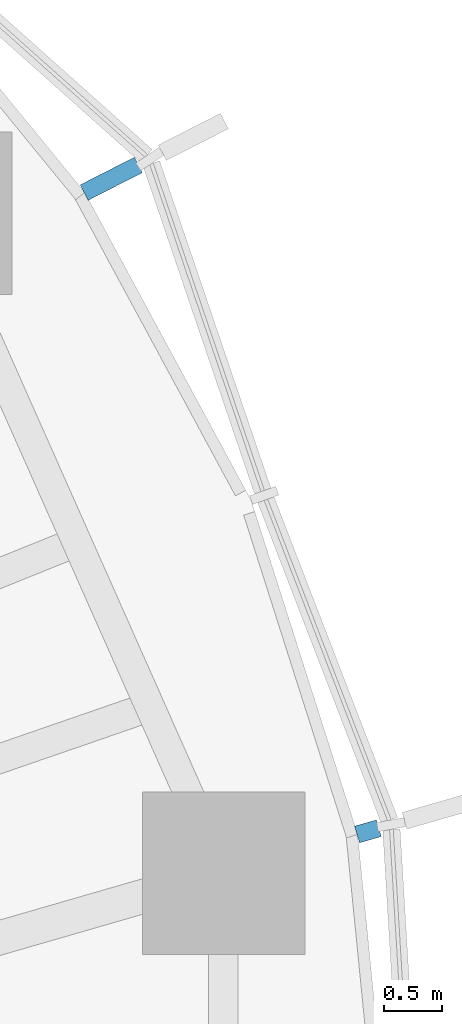
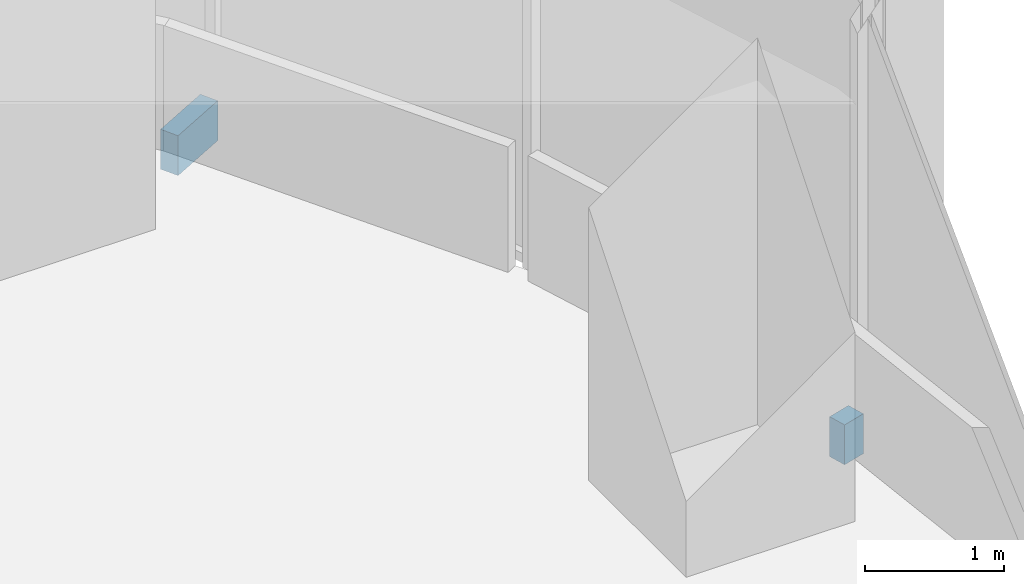
# One storey, part 16 of 18: 2 discrete accessories.
"""IFC4 building model written with IfcOpenShell, lengths in metres."""

import ifcopenshell
import ifcopenshell.guid

model = None  # the IFC model being written
_history = None  # IfcOwnerHistory: only IFC2X3 demands one
_inside = {}  # id of a spatial element -> (the spatial element, [elements in it])
_under = {}  # id of a project, library or spatial element -> (it, [spatial elements below it])
_declared = {}  # id of a project -> (the project, [libraries it declares])
_typed = {}  # id of a type object -> (the type object, [elements of that type])
_made_of = {}  # id of a material, layer set ... -> (it, [elements and type objects made of it])


def new_model(schema):
    """Start an empty IFC model of exactly this schema.

    Asked for "IFC4X3", IfcOpenShell would pick the latest addendum, in which some entities
    have other attributes; the version numbers below select the first issue.
    IFC2X3 requires an IfcOwnerHistory on every rooted entity: one is made here for all.
    """
    global model, _history
    if schema == "IFC4X3":
        model = ifcopenshell.file(schema_version=(4, 3, 0, 0))
    else:
        model = ifcopenshell.file(schema=schema)
    _inside.clear()
    _under.clear()
    _declared.clear()
    _typed.clear()
    _made_of.clear()
    _history = None
    if model.schema == "IFC2X3":
        org = make("IfcOrganization", Name="unknown")
        user = make(
            "IfcPersonAndOrganization",
            ThePerson=make("IfcPerson", FamilyName="unknown"),
            TheOrganization=org,
        )
        app = make(
            "IfcApplication",
            ApplicationDeveloper=org,
            Version="unknown",
            ApplicationFullName="unknown",
            ApplicationIdentifier="unknown",
        )
        _history = make(
            "IfcOwnerHistory",
            OwningUser=user,
            OwningApplication=app,
            ChangeAction="ADDED",
            CreationDate=0,
        )
    return model


def make(cls, **values):
    """One entity of the class cls with the attributes given. An attribute that is None is left unset."""
    return model.create_entity(
        cls, **{name: value for name, value in values.items() if value is not None}
    )


def rooted(cls, **values):
    """An entity with a GlobalId (a new one), such as an element, a storey or a relation."""
    return make(cls, GlobalId=ifcopenshell.guid.new(), OwnerHistory=_history, **values)


def si_unit(unit_type, name, prefix=None):
    """IfcSIUnit, for example si_unit("LENGTHUNIT", "METRE", prefix="MILLI")."""
    return make("IfcSIUnit", UnitType=unit_type, Prefix=prefix, Name=name)


def assignment(units):
    """IfcUnitAssignment: the units of a project."""
    return None if units is None else make("IfcUnitAssignment", Units=units)


def point(xyz):
    """IfcCartesianPoint."""
    return None if xyz is None else make("IfcCartesianPoint", Coordinates=xyz)


def direction(xyz):
    """IfcDirection."""
    return None if xyz is None else make("IfcDirection", DirectionRatios=xyz)


def frame(location, z_axis=None, x_axis=None):
    """IfcAxis2Placement3D, a coordinate frame: its origin and axes. An axis left out is left unset."""
    return make(
        "IfcAxis2Placement3D",
        Location=point(location),
        Axis=direction(z_axis),
        RefDirection=direction(x_axis),
    )


def frame_2d(location, x_axis=None):
    """IfcAxis2Placement2D, a coordinate frame in the plane: its origin and x axis."""
    return make(
        "IfcAxis2Placement2D", Location=point(location), RefDirection=direction(x_axis)
    )


def origin():
    """The frame at (0, 0, 0) with its axes left unset."""
    return frame((0.0, 0.0, 0.0))


def origin_2d():
    """The frame at (0, 0) in the plane with its x axis left unset."""
    return frame_2d((0.0, 0.0))


def place(relative_to, where):
    """IfcLocalPlacement: puts the frame where relative to a parent placement (None: the world)."""
    return make(
        "IfcLocalPlacement", PlacementRelTo=relative_to, RelativePlacement=where
    )


def context(
    kind, dimensions, precision=None, world=None, true_north=None, identifier=None
):
    """IfcGeometricRepresentationContext, for example the 3D "Model" context."""
    return make(
        "IfcGeometricRepresentationContext",
        ContextIdentifier=identifier,
        ContextType=kind,
        CoordinateSpaceDimension=dimensions,
        Precision=precision,
        WorldCoordinateSystem=world,
        TrueNorth=true_north,
    )


def subcontext(parent, identifier, kind, view, scale=None):
    """IfcGeometricRepresentationSubContext, for example "Body" below "Model"."""
    return make(
        "IfcGeometricRepresentationSubContext",
        ContextIdentifier=identifier,
        ContextType=kind,
        ParentContext=parent,
        TargetScale=scale,
        TargetView=view,
    )


def project(units=None, contexts=None):
    """IfcProject with its units and contexts."""
    return rooted(
        "IfcProject",
        Name="project",
        RepresentationContexts=contexts,
        UnitsInContext=assignment(units),
    )


def spatial(cls, under=None, at=None, **own):
    """A site, building, storey or space (cls), placed at a placement, below another one or the project."""
    s = rooted(cls, ObjectPlacement=at, **own)
    if under is not None:
        _under.setdefault(under.id(), (under, []))[1].append(s)
    return s


def profile(cls, at=None, kind="AREA", **sizes):
    """A parametric profile (cls). Its sizes go by their IFC names, for example OverallWidth=200.0."""
    return make(cls, ProfileType=kind, Position=at, **sizes)


def rectangle(**sizes):
    """IfcRectangleProfileDef."""
    return profile("IfcRectangleProfileDef", **sizes)


def extrude(swept, where, along, depth):
    """IfcExtrudedAreaSolid: the profile swept, set in the frame where, extruded along a direction by depth."""
    return make(
        "IfcExtrudedAreaSolid",
        SweptArea=swept,
        Position=where,
        ExtrudedDirection=direction(along),
        Depth=depth,
    )


def shape(context_of_items, identifier, shape_type, items):
    """IfcShapeRepresentation: the items that make up one representation, for example the "Body"."""
    return make(
        "IfcShapeRepresentation",
        ContextOfItems=context_of_items,
        RepresentationIdentifier=identifier,
        RepresentationType=shape_type,
        Items=items,
    )


def material(Name=None, Category=None):
    """IfcMaterial."""
    return make("IfcMaterial", Name=Name, Category=Category)


def made_of(thing, what):
    """Note that an element or type object is made of a material, layer set ...; save() writes the relation."""
    if what is not None:
        _made_of.setdefault(what.id(), (what, []))[1].append(thing)
    return thing


def type_object(cls, material=None, **own):
    """A type object (cls), such as IfcWallType, which elements share."""
    return made_of(rooted(cls, **own), material)


def element(
    cls,
    number,
    at=None,
    inside=None,
    cuts=None,
    type_object=None,
    material=None,
    context=None,
    identifier="Body",
    shape_type=None,
    held_by="IfcProductDefinitionShape",
    body=None,
    shapes=None,
    **own,
):
    """One element of the class cls, such as IfcWall. Its Tag is "e" and its number.

    at: its placement. inside: the storey or other place that contains it. cuts: it is an
    opening in that element (IfcRelVoidsElement). A single representation is given by context,
    identifier, shape_type and body (its items); several are given by shapes. held_by: the class
    of the entity that holds the representations. save() writes the other relations.
    """
    e = rooted(cls, Tag="e%d" % number, ObjectPlacement=at, **own)
    if body is not None:
        shapes = [shape(context, identifier, shape_type, body)]
    if shapes is not None:
        e.Representation = make(held_by, Representations=shapes)
    if inside is not None:
        _inside.setdefault(inside.id(), (inside, []))[1].append(e)
    if cuts is not None:
        rooted(
            "IfcRelVoidsElement", RelatingBuildingElement=cuts, RelatedOpeningElement=e
        )
    if type_object is not None:
        _typed.setdefault(type_object.id(), (type_object, []))[1].append(e)
    return made_of(e, material)


def aggregate(whole, parts):
    """IfcRelAggregates: a whole, such as a stair, and the parts it consists of."""
    return rooted("IfcRelAggregates", RelatingObject=whole, RelatedObjects=parts)


def save(model, path):
    """Write the relations noted so far, then the file.

    IfcRelAggregates (storeys below a building ...), IfcRelContainedInSpatialStructure (elements
    in a storey), IfcRelDefinesByType, IfcRelAssociatesMaterial and IfcRelDeclares: one each for
    every whole, place, type object, material and project.
    """
    for whole, parts in _under.values():
        aggregate(whole, parts)
    for where, things in _inside.values():
        rooted(
            "IfcRelContainedInSpatialStructure",
            RelatedElements=things,
            RelatingStructure=where,
        )
    for kind, things in _typed.values():
        rooted("IfcRelDefinesByType", RelatedObjects=things, RelatingType=kind)
    for what, things in _made_of.values():
        rooted("IfcRelAssociatesMaterial", RelatedObjects=things, RelatingMaterial=what)
    for by, libraries in _declared.values():
        rooted("IfcRelDeclares", RelatingContext=by, RelatedDefinitions=libraries)
    model.write(path)


model = new_model("IFC4")

# Units and contexts
model_context = context("Model", 3, precision=1e-05, world=origin(), true_north=direction((0.0, 1.0)))
body_context = subcontext(model_context, "Body", "Model", "MODEL_VIEW")
ifc_project = project(units=[si_unit("LENGTHUNIT", "METRE"), si_unit("AREAUNIT", "SQUARE_METRE"), si_unit("VOLUMEUNIT", "CUBIC_METRE"), si_unit("PLANEANGLEUNIT", "RADIAN"), si_unit("MASSUNIT", "GRAM", prefix="KILO")], contexts=[model_context])

# Site, building, storey
site_placement = place(None, origin())
site = spatial("IfcSite", under=ifc_project, at=site_placement, CompositionType="ELEMENT")
building_placement = place(site_placement, origin())
building = spatial("IfcBuilding", under=site, at=building_placement, Name="Ghaith Harvest Tower", CompositionType="ELEMENT")
storey_placement = place(building_placement, frame((0.0, 0.0, 159.60009765625)))
storey = spatial("IfcBuildingStorey", under=building, at=storey_placement, Name="L34", CompositionType="ELEMENT", Elevation=159.60009765625)

# Discrete accessories
ifc_material_1 = material(Name="Stainless steel grade 1.4401", Category="steel")
discrete_accessory_type_1 = type_object("IfcDiscreteAccessoryType", Name="CURTAIN WALL BRACKET 195", PredefinedType="BRACKET", material=ifc_material_1)
discrete_accessory_1_placement = place(storey_placement, frame((30.528076171875, 8.8232421875, -0.250244140625), z_axis=(0.0, 0.0, 1.0), x_axis=(0.960680349985, 0.277656739792, 0.0)))
element("IfcDiscreteAccessory", 1, at=discrete_accessory_1_placement, inside=storey, type_object=discrete_accessory_type_1, Name="CW-L bracket 1 bay 02 L34", PredefinedType="BRACKET", context=body_context, shape_type="SweptSolid", body=[
    extrude(rectangle(XDim=0.195068359375, YDim=0.14990234375, at=origin_2d()), origin(), (0.0, 0.0, 1.0), 0.35009765625),
])
ifc_material_2 = material(Name="Stainless steel grade 1.4401", Category="steel")
discrete_accessory_type_2 = type_object("IfcDiscreteAccessoryType", Name="CURTAIN WALL BRACKET 525", PredefinedType="BRACKET", material=ifc_material_2)
discrete_accessory_2_placement = place(storey_placement, frame((28.318115234375, 14.442626953125, -0.250244140625), z_axis=(0.0, 0.0, 1.0), x_axis=(0.890830752257, 0.454335306611, 0.0)))
element("IfcDiscreteAccessory", 2, at=discrete_accessory_2_placement, inside=storey, type_object=discrete_accessory_type_2, Name="CW-L bracket 3 bay 02 L34", PredefinedType="BRACKET", context=body_context, shape_type="SweptSolid", body=[
    extrude(rectangle(XDim=0.52490234375, YDim=0.14990234375, at=origin_2d()), origin(), (0.0, 0.0, 1.0), 0.35009765625),
])

save(model, "model.ifc")
